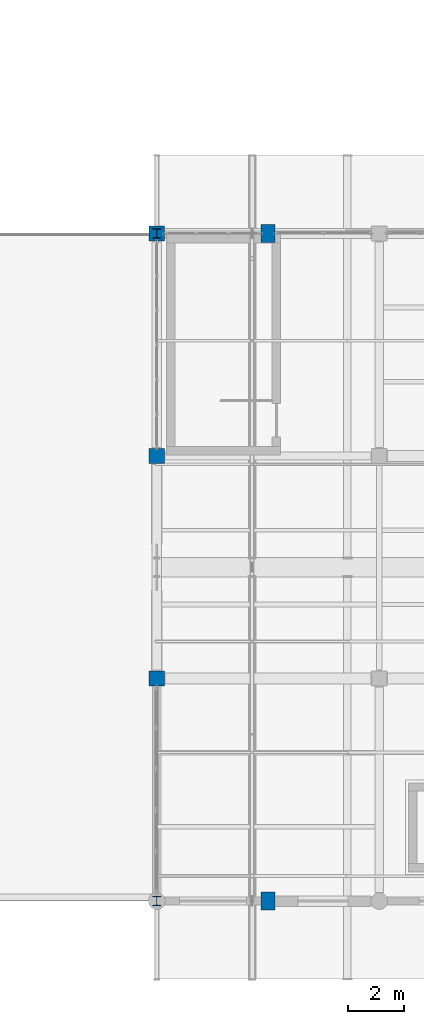
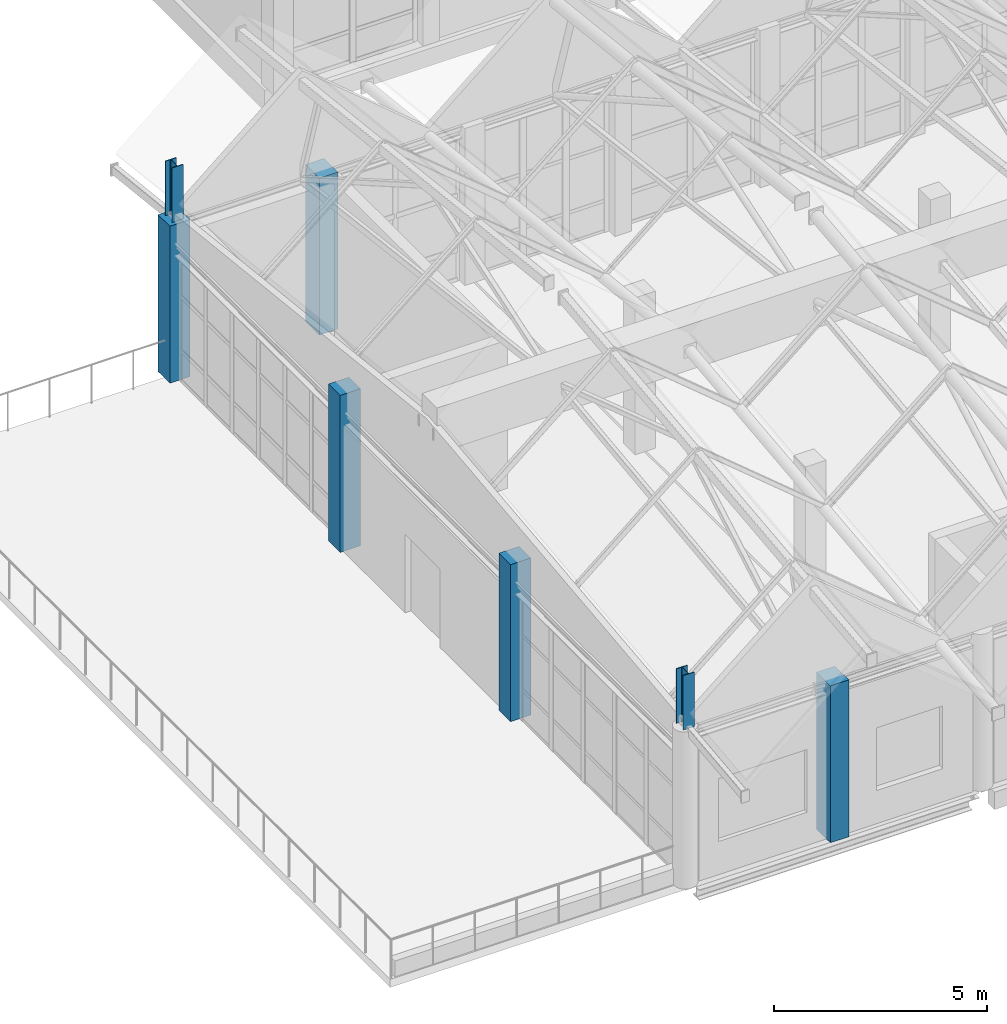
# One storey, part 2 of 183: 7 columns.
"""IFC4 building model written with IfcOpenShell, lengths in metres."""

from ifc_helpers import new_model, si_unit, direction, frame, origin, origin_2d, place, context, subcontext, project, spatial, rectangle, i_section, extrude, material, material_profile, profile_set, type_object, element, save


model = new_model("IFC4")

# Units and contexts
model_context = context("Model", 3, precision=1e-05, world=origin(), true_north=direction((0.0, 1.0)))
body_context = subcontext(model_context, "Body", "Model", "MODEL_VIEW")
ifc_project = project(units=[si_unit("LENGTHUNIT", "METRE"), si_unit("AREAUNIT", "SQUARE_METRE"), si_unit("VOLUMEUNIT", "CUBIC_METRE"), si_unit("PLANEANGLEUNIT", "RADIAN"), si_unit("MASSUNIT", "GRAM", prefix="KILO")], contexts=[model_context])

# Site, building, storey
site_placement = place(None, origin())
site = spatial("IfcSite", under=ifc_project, at=site_placement, CompositionType="ELEMENT")
building_placement = place(site_placement, origin())
building = spatial("IfcBuilding", under=site, at=building_placement, Name="Luwemba Playhouse", CompositionType="ELEMENT")
storey_placement = place(building_placement, frame((0.0, 0.0, 4.800048828125)))
storey = spatial("IfcBuildingStorey", under=building, at=storey_placement, Name="L01", CompositionType="ELEMENT", Elevation=4.800048828125)

# Columns
ifc_material_1 = material(Name="Concrete C40/50", Category="concrete")
ifc_material_profile_1 = material_profile(ifc_material_1, rectangle(XDim=0.550048828125, YDim=0.550048828125, at=origin_2d()))
ifc_profile_set_1 = profile_set([ifc_material_profile_1], Name="Concrete C40/50")
column_type_1 = type_object("IfcColumnType", Name="COL-C03", PredefinedType="COLUMN", material=ifc_profile_set_1)
for number, where, z_axis, x_axis, name in (
    (1, (124.0, 11.0, 0.0), (0.0, 0.0, 1.0), (1.0, 0.0, 0.0), "L01 column 162"),
    (2, (124.0, 19.0, 0.0), (0.0, 0.0, 1.0), (1.0, 0.0, 0.0), "L01 column 163"),
    (3, (124.0, 27.0, 0.0), (0.0, 0.0, 1.0), (1.0, 0.0, 0.0), "L01 column 164"),
):
    element("IfcColumn", number, at=place(storey_placement, frame(where, z_axis=z_axis, x_axis=x_axis)), inside=storey, type_object=column_type_1, Name=name, PredefinedType="COLUMN", context=body_context, shape_type="SweptSolid", body=[
        extrude(rectangle(XDim=0.550048828125, YDim=0.550048828125, at=origin_2d()), origin(), (0.0, 0.0, 1.0), 4.5),
    ])
ifc_material_profile_2 = material_profile(ifc_material_1, rectangle(XDim=0.5, YDim=0.64990234375, at=origin_2d()))
ifc_profile_set_2 = profile_set([ifc_material_profile_2], Name="Concrete C40/50")
column_type_2 = type_object("IfcColumnType", Name="COL-PIL3", PredefinedType="PILASTER", material=ifc_profile_set_2)
for number, where, z_axis, x_axis, name in (
    (4, (128.0, 3.0, 0.0), (0.0, 0.0, 1.0), (1.0, 0.0, 0.0), "L01 column 168"),
    (5, (128.0, 27.0, 0.0), (0.0, 0.0, 1.0), (1.0, 0.0, 0.0), "L01 column 169"),
):
    element("IfcColumn", number, at=place(storey_placement, frame(where, z_axis=z_axis, x_axis=x_axis)), inside=storey, type_object=column_type_2, Name=name, PredefinedType="PILASTER", context=body_context, shape_type="SweptSolid", body=[
        extrude(rectangle(XDim=0.5, YDim=0.64990234375, at=origin_2d()), origin(), (0.0, 0.0, 1.0), 4.5),
    ])
ifc_material_2 = material(Name="Steel S355", Category="steel")
ifc_material_profile_3 = material_profile(ifc_material_2, i_section(OverallWidth=0.300048828125, OverallDepth=0.340087890625, WebThickness=0.011962890625, FlangeThickness=0.021484375, FilletRadius=0.027099609375, at=origin_2d()))
ifc_profile_set_3 = profile_set([ifc_material_profile_3], Name="Steel S355")
column_type_3 = type_object("IfcColumnType", Name="COL-SC2", PredefinedType="COLUMN", material=ifc_profile_set_3)
for number, where, z_axis, x_axis, name in (
    (6, (124.0, 3.0, 4.5), (0.0, 0.0, 1.0), (1.0, 0.0, 0.0), "RF-V5E south corner apex stub"),
    (7, (124.0, 27.0, 4.5), (0.0, 0.0, 1.0), (1.0, 0.0, 0.0), "RF-V5E north corner apex stub"),
):
    element("IfcColumn", number, at=place(storey_placement, frame(where, z_axis=z_axis, x_axis=x_axis)), inside=storey, type_object=column_type_3, Name=name, PredefinedType="COLUMN", context=body_context, shape_type="SweptSolid", body=[
        extrude(i_section(OverallWidth=0.300048828125, OverallDepth=0.340087890625, WebThickness=0.011962890625, FlangeThickness=0.021484375, FilletRadius=0.027099609375, at=origin_2d()), origin(), (0.0, 0.0, 1.0), 1.56396484375),
    ])

save(model, "model.ifc")
